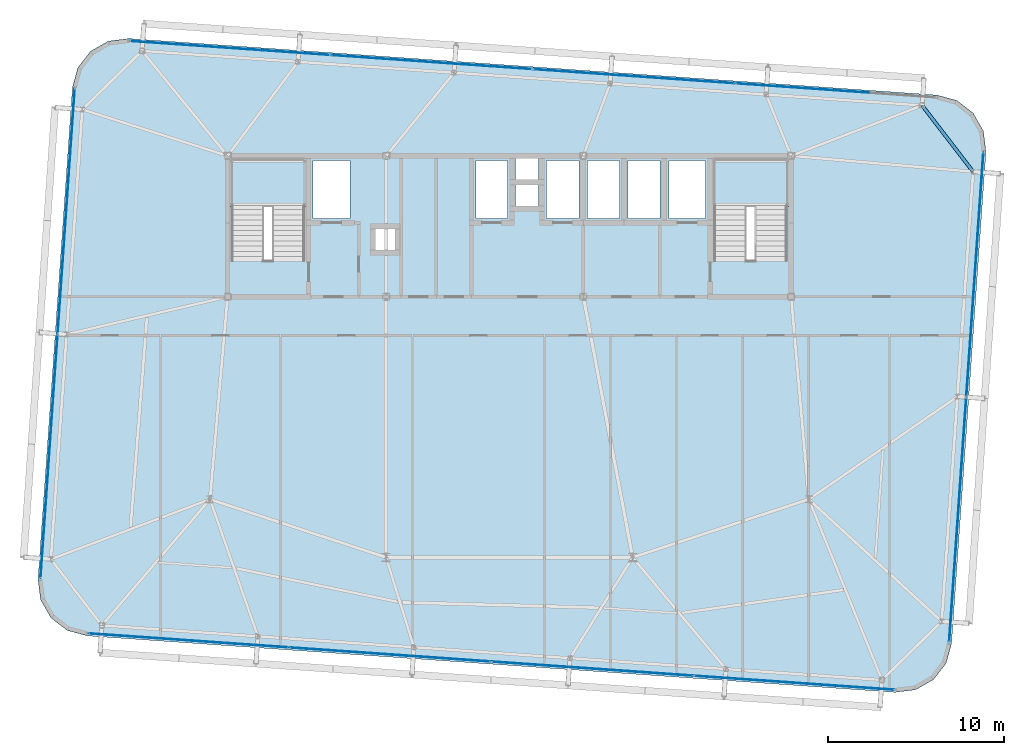
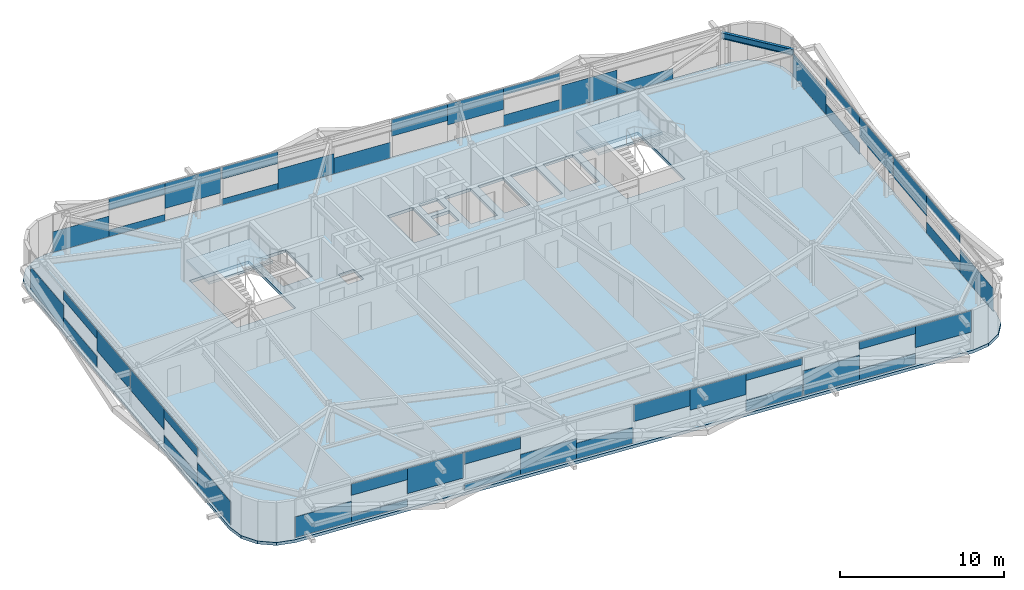
# One storey, part 25 of 39: 46 plates, 3 slabs, 1 beam, 6 elements without a shape of their own.
"""IFC4 building model written with IfcOpenShell, lengths in metres."""

from ifc_helpers import new_model, si_unit, direction, frame, origin, origin_2d, place, context, subcontext, project, spatial, polyline, rectangle, i_section, outline, extrude, source, transform, mapped, material, layer, layer_set, material_profile, profile_set, type_object, element, aggregate, save


model = new_model("IFC4")

# Units and contexts
model_context = context("Model", 3, precision=1e-05, world=origin(), true_north=direction((0.0, 1.0)))
body_context = subcontext(model_context, "Body", "Model", "MODEL_VIEW")
ifc_project = project(units=[si_unit("LENGTHUNIT", "METRE"), si_unit("AREAUNIT", "SQUARE_METRE"), si_unit("VOLUMEUNIT", "CUBIC_METRE"), si_unit("PLANEANGLEUNIT", "RADIAN"), si_unit("MASSUNIT", "GRAM", prefix="KILO")], contexts=[model_context])

# Site, building, storey
site_placement = place(None, origin())
site = spatial("IfcSite", under=ifc_project, at=site_placement, CompositionType="ELEMENT")
building_placement = place(site_placement, origin())
building = spatial("IfcBuilding", under=site, at=building_placement, Name="Taldren Reach Tower", CompositionType="ELEMENT")
storey_placement = place(building_placement, frame((0.0, 0.0, 136.14990234375)))
storey = spatial("IfcBuildingStorey", under=building, at=storey_placement, Name="L41", CompositionType="ELEMENT", Elevation=136.14990234375)

# Beam
ifc_material_1 = material(Name="Steel Gr 350 (350PLUS)", Category="steel")
ifc_material_profile = material_profile(ifc_material_1, i_section(OverallWidth=0.18994140625, OverallDepth=0.4541015625, WebThickness=0.008544921875, FlangeThickness=0.0126953125, at=origin_2d()), Name="460UB67.1")
ifc_profile_set = profile_set([ifc_material_profile], Name="Steel Gr 350 (350PLUS)")
beam_type = type_object("IfcBeamType", Name="SP-UB460B", PredefinedType="SPANDREL", material=ifc_profile_set)
shared_shape_1 = source(origin(), body_context, "Body", "SweptSolid", [
    extrude(i_section(OverallWidth=0.18994140625, OverallDepth=0.4541015625, WebThickness=0.008544921875, FlangeThickness=0.0126953125, at=origin_2d()), origin(), (0.0, 0.0, 1.0), 4.745849609375),
])
beam_placement = place(storey_placement, frame((61.3310546875, 31.1005859375, 2.703125), z_axis=(-0.609904656723, 0.792474800677, 0.0), x_axis=(-0.792474800677, -0.609904656723, 0.0)))
element("IfcBeam", 1, at=beam_placement, inside=storey, type_object=beam_type, Name="Perimeter spandrel B3 E3-N6 L41", PredefinedType="SPANDREL", context=body_context, shape_type="MappedRepresentation", body=[
    mapped(shared_shape_1, transform((0.0, 0.0, 0.0), scale=1.0)),
])

# Slab
ifc_material_2 = material(Name="Concrete N40 (40 MPa)", Category="concrete")
ifc_layer_1 = layer(ifc_material_2, 0.219970703125)
ifc_layer_set_1 = layer_set([ifc_layer_1], Name="Concrete N40 (40 MPa)")
slab_type_1 = type_object("IfcSlabType", Name="SL-FLR-220", PredefinedType="FLOOR", material=ifc_layer_set_1)
slab_1_placement = place(storey_placement, frame((0.0, 0.0, -0.219970703125)))
element("IfcSlab", 2, at=slab_1_placement, inside=storey, type_object=slab_type_1, Name="Suspended floor slab L41", PredefinedType="FLOOR", context=body_context, shape_type="SweptSolid", body=[
    extrude(outline(polyline([(56.908203125, 1.537109375), (58.0693359375, 1.684814453125), (59.08544921875, 2.265625), (59.80224609375, 3.191162109375), (60.110107421875, 4.320556640625), (62.063232421875, 32.252197265625), (61.91552734375, 33.413330078125), (61.334716796875, 34.4296875), (60.4091796875, 35.146240234375), (59.27978515625, 35.4541015625), (13.391845703125, 38.6630859375), (12.230712890625, 38.515380859375), (11.21435546875, 37.934326171875), (10.497802734375, 37.0087890625), (10.18994140625, 35.879638671875), (8.23681640625, 7.94775390625), (8.384521484375, 6.78662109375), (8.96533203125, 5.770263671875), (9.890869140625, 5.0537109375), (11.020263671875, 4.745849609375), (56.908203125, 1.537109375)]), holes=[polyline([(19.219970703125, 26.050048828125), (23.3798828125, 26.050048828125), (23.3798828125, 31.820068359375), (19.219970703125, 31.820068359375), (19.219970703125, 26.050048828125)]), polyline([(46.6201171875, 26.050048828125), (50.780029296875, 26.050048828125), (50.780029296875, 31.820068359375), (46.6201171875, 31.820068359375), (46.6201171875, 26.050048828125)]), polyline([(23.85009765625, 28.449951171875), (25.949951171875, 28.449951171875), (25.949951171875, 31.75), (23.85009765625, 31.75), (23.85009765625, 28.449951171875)]), polyline([(44.050048828125, 28.449951171875), (46.14990234375, 28.449951171875), (46.14990234375, 31.75), (44.050048828125, 31.75), (44.050048828125, 28.449951171875)]), polyline([(33.10009765625, 28.449951171875), (34.89990234375, 28.449951171875), (34.89990234375, 31.75), (33.10009765625, 31.75), (33.10009765625, 28.449951171875)]), polyline([(37.10009765625, 28.449951171875), (38.949951171875, 28.449951171875), (38.949951171875, 31.75), (37.10009765625, 31.75), (37.10009765625, 28.449951171875)]), polyline([(39.449951171875, 28.449951171875), (41.25, 28.449951171875), (41.25, 31.75), (39.449951171875, 31.75), (39.449951171875, 28.449951171875)]), polyline([(41.75, 28.449951171875), (43.550048828125, 28.449951171875), (43.550048828125, 31.75), (41.75, 31.75), (41.75, 28.449951171875)]), polyline([(35.35009765625, 30.64990234375), (36.64990234375, 30.64990234375), (36.64990234375, 31.85009765625), (35.35009765625, 31.85009765625), (35.35009765625, 30.64990234375)]), polyline([(35.35009765625, 29.14990234375), (36.64990234375, 29.14990234375), (36.64990234375, 30.35009765625), (35.35009765625, 30.35009765625), (35.35009765625, 29.14990234375)]), polyline([(27.39990234375, 26.64990234375), (28.5, 26.64990234375), (28.5, 27.85009765625), (27.39990234375, 27.85009765625), (27.39990234375, 26.64990234375)])]), origin(), (0.0, 0.0, 1.0), 0.219970703125),
])

# Stair, slab
ifc_material_3 = material(Name="Concrete S50 (50 MPa)", Category="concrete")
stair_type = type_object("IfcStairType", Name="ST-HT-315", PredefinedType="HALF_TURN_STAIR", material=ifc_material_3)
stair_1_placement = place(storey_placement, origin())
stair_1 = element("IfcStair", 3, at=stair_1_placement, inside=storey, type_object=stair_type, Name="Fire-isolated exit stair ST1 L41", PredefinedType="HALF_TURN_STAIR")
ifc_layer_2 = layer(ifc_material_3, 0.179931640625)
ifc_layer_set_2 = layer_set([ifc_layer_2], Name="Concrete S50 (50 MPa)")
slab_type_2 = type_object("IfcSlabType", Name="SL-LAND-180", PredefinedType="LANDING", material=ifc_layer_set_2)
slab_2_placement = place(storey_placement, frame((0.0, 0.0, 1.39501953125)))
slab_2 = element("IfcSlab", 4, at=slab_2_placement, type_object=slab_type_2, Name="ST1 landing 1", PredefinedType="LANDING", context=body_context, shape_type="SweptSolid", body=[
    extrude(outline(polyline([(19.0400390625, 29.135009765625), (23.56005859375, 29.135009765625), (23.56005859375, 31.8701171875), (19.0400390625, 31.8701171875), (19.0400390625, 29.135009765625)])), origin(), (0.0, 0.0, 1.0), 0.18017578125),
])
aggregate(stair_1, [slab_2])

stair_2_placement = place(storey_placement, origin())
stair_2 = element("IfcStair", 5, at=stair_2_placement, inside=storey, type_object=stair_type, Name="Fire-isolated exit stair ST2 L41", PredefinedType="HALF_TURN_STAIR")
slab_3_placement = place(storey_placement, frame((0.0, 0.0, 1.39501953125)))
slab_3 = element("IfcSlab", 6, at=slab_3_placement, type_object=slab_type_2, Name="ST2 landing 1", PredefinedType="LANDING", context=body_context, shape_type="SweptSolid", body=[
    extrude(outline(polyline([(46.43994140625, 29.135009765625), (50.9599609375, 29.135009765625), (50.9599609375, 31.8701171875), (46.43994140625, 31.8701171875), (46.43994140625, 29.135009765625)])), origin(), (0.0, 0.0, 1.0), 0.18017578125),
])
aggregate(stair_2, [slab_3])

# Curtain wall, plates
ifc_material_4 = material(Name="Aluminium and Low-E Glass Unitised System", Category="aluminium")
ifc_layer_3 = layer(ifc_material_4, 0.159912109375)
ifc_layer_set_3 = layer_set([ifc_layer_3], Name="Aluminium and Low-E Glass Unitised System")
curtain_wall_type = type_object("IfcCurtainWallType", Name="CW-SYS-4", PredefinedType="NOTDEFINED", material=ifc_layer_set_3)
curtain_wall_1_placement = place(storey_placement, origin())
curtain_wall_1 = element("IfcCurtainWall", 7, at=curtain_wall_1_placement, inside=storey, type_object=curtain_wall_type, Name="Unitised curtain wall CW-L41-S", PredefinedType="NOTDEFINED")
ifc_material_5 = material(Name="Solar-Control Double Glazed IGU", Category="glass")
ifc_layer_4 = layer(ifc_material_5, 0.031982421875)
ifc_layer_set_4 = layer_set([ifc_layer_4], Name="Solar-Control Double Glazed IGU")
plate_type = type_object("IfcPlateType", Name="CW-PNL-IGU32", PredefinedType="CURTAIN_PANEL", material=ifc_layer_set_4)
shared_shape_2 = source(origin(), body_context, "Body", "SweptSolid", [
    extrude(rectangle(XDim=3.79833984375, YDim=0.031982421875, at=origin_2d()), origin(), (0.0, 0.0, 1.0), 1.597900390625),
])
plate_1_placement = place(storey_placement, frame((54.95361328125, 1.81396484375, 1.27734375), z_axis=(0.0, 0.0, 1.0), x_axis=(0.99756404731, -0.06975651593, 0.0)))
plate_1 = element("IfcPlate", 8, at=plate_1_placement, type_object=plate_type, Name="CW-4 panel 4.1 part 4", PredefinedType="CURTAIN_PANEL", context=body_context, shape_type="MappedRepresentation", body=[
    mapped(shared_shape_2, transform((0.0, 0.0, 0.0), scale=1.0)),
])
shared_shape_3 = source(origin(), body_context, "Body", "SweptSolid", [
    extrude(rectangle(XDim=3.79833984375, YDim=0.031982421875, at=origin_2d()), origin(), (0.0, 0.0, 1.0), 0.787109375),
])
plate_2_placement = place(storey_placement, frame((51.16455078125, 2.0791015625, 0.05517578125), z_axis=(0.0, 0.0, 1.0), x_axis=(0.99756404731, -0.06975651593, 0.0)))
plate_2 = element("IfcPlate", 9, at=plate_2_placement, type_object=plate_type, Name="CW-4 panel 4.1 part 2", PredefinedType="CURTAIN_PANEL", context=body_context, shape_type="MappedRepresentation", body=[
    mapped(shared_shape_3, transform((0.0, 0.0, 0.0), scale=1.0)),
])

# Curtain wall, plate
curtain_wall_2_placement = place(storey_placement, origin())
curtain_wall_2 = element("IfcCurtainWall", 10, at=curtain_wall_2_placement, inside=storey, type_object=curtain_wall_type, Name="Unitised curtain wall CW-L41-N", PredefinedType="NOTDEFINED")
plate_3_placement = place(storey_placement, frame((53.5166015625, 35.716796875, 0.05517578125), z_axis=(0.0, 0.0, 1.0), x_axis=(-0.99756404731, 0.06975651593, 0.0)))
plate_3 = element("IfcPlate", 11, at=plate_3_placement, type_object=plate_type, Name="CW-4 panel 1.1 part 2", PredefinedType="CURTAIN_PANEL", context=body_context, shape_type="MappedRepresentation", body=[
    mapped(shared_shape_3, transform((0.0, 0.0, 0.0), scale=1.0)),
])

# Plate
shared_shape_4 = source(origin(), body_context, "Body", "SweptSolid", [
    extrude(rectangle(XDim=3.79833984375, YDim=0.031982421875, at=origin_2d()), origin(), (0.0, 0.0, 1.0), 0.558349609375),
])
plate_4_placement = place(storey_placement, frame((51.16455078125, 2.0791015625, 2.31689453125), z_axis=(0.0, 0.0, 1.0), x_axis=(0.99756404731, -0.06975651593, 0.0)))
plate_4 = element("IfcPlate", 12, at=plate_4_placement, type_object=plate_type, Name="CW-4 panel 4.1 part 3", PredefinedType="CURTAIN_PANEL", context=body_context, shape_type="MappedRepresentation", body=[
    mapped(shared_shape_4, transform((0.0, 0.0, 0.0), scale=1.0)),
])

shared_shape_5 = source(origin(), body_context, "Body", "SweptSolid", [
    extrude(rectangle(XDim=3.79833984375, YDim=0.031982421875, at=origin_2d()), origin(), (0.0, 0.0, 1.0), 1.826416015625),
])
plate_5_placement = place(storey_placement, frame((47.375244140625, 2.343994140625, 0.05517578125), z_axis=(0.0, 0.0, 1.0), x_axis=(0.99756404731, -0.06975651593, 0.0)))
plate_5 = element("IfcPlate", 13, at=plate_5_placement, type_object=plate_type, Name="CW-4 panel 4.1 part 1", PredefinedType="CURTAIN_PANEL", context=body_context, shape_type="MappedRepresentation", body=[
    mapped(shared_shape_5, transform((0.0, 0.0, 0.0), scale=1.0)),
])

plate_6_placement = place(storey_placement, frame((49.7275390625, 35.981689453125, 0.05517578125), z_axis=(0.0, 0.0, 1.0), x_axis=(-0.99756404731, 0.06975651593, 0.0)))
plate_6 = element("IfcPlate", 14, at=plate_6_placement, type_object=plate_type, Name="CW-4 panel 1.1 part 4", PredefinedType="CURTAIN_PANEL", context=body_context, shape_type="MappedRepresentation", body=[
    mapped(shared_shape_5, transform((0.0, 0.0, 0.0), scale=1.0)),
])

shared_shape_6 = source(origin(), body_context, "Body", "SweptSolid", [
    extrude(rectangle(XDim=3.81005859375, YDim=0.031982421875, at=origin_2d()), origin(), (0.0, 0.0, 1.0), 0.8271484375),
])
plate_7_placement = place(storey_placement, frame((43.510498046875, 2.6142578125, 0.05517578125), z_axis=(0.0, 0.0, 1.0), x_axis=(0.99756404731, -0.06975651593, 0.0)))
plate_7 = element("IfcPlate", 15, at=plate_7_placement, type_object=plate_type, Name="CW-4 panel 3.1 part 3", PredefinedType="CURTAIN_PANEL", context=body_context, shape_type="MappedRepresentation", body=[
    mapped(shared_shape_6, transform((0.0, 0.0, 0.0), scale=1.0)),
])

plate_8_placement = place(storey_placement, frame((45.86279296875, 36.251953125, 0.05517578125), z_axis=(0.0, 0.0, 1.0), x_axis=(-0.99756404731, 0.06975651593, 0.0)))
plate_8 = element("IfcPlate", 16, at=plate_8_placement, type_object=plate_type, Name="CW-4 panel 2.1 part 1", PredefinedType="CURTAIN_PANEL", context=body_context, shape_type="MappedRepresentation", body=[
    mapped(shared_shape_6, transform((0.0, 0.0, 0.0), scale=1.0)),
])

shared_shape_7 = source(origin(), body_context, "Body", "SweptSolid", [
    extrude(rectangle(XDim=3.81005859375, YDim=0.031982421875, at=origin_2d()), origin(), (0.0, 0.0, 1.0), 0.51513671875),
])
plate_9_placement = place(storey_placement, frame((43.510498046875, 2.6142578125, 2.360107421875), z_axis=(0.0, 0.0, 1.0), x_axis=(0.99756404731, -0.06975651593, 0.0)))
plate_9 = element("IfcPlate", 17, at=plate_9_placement, type_object=plate_type, Name="CW-4 panel 3.1 part 4", PredefinedType="CURTAIN_PANEL", context=body_context, shape_type="MappedRepresentation", body=[
    mapped(shared_shape_7, transform((0.0, 0.0, 0.0), scale=1.0)),
])

plate_10_placement = place(storey_placement, frame((45.86279296875, 36.251953125, 2.360107421875), z_axis=(0.0, 0.0, 1.0), x_axis=(-0.99756404731, 0.06975651593, 0.0)))
plate_10 = element("IfcPlate", 18, at=plate_10_placement, type_object=plate_type, Name="CW-4 panel 2.1 part 2", PredefinedType="CURTAIN_PANEL", context=body_context, shape_type="MappedRepresentation", body=[
    mapped(shared_shape_7, transform((0.0, 0.0, 0.0), scale=1.0)),
])

shared_shape_8 = source(origin(), body_context, "Body", "SweptSolid", [
    extrude(rectangle(XDim=3.81005859375, YDim=0.031982421875, at=origin_2d()), origin(), (0.0, 0.0, 1.0), 1.5576171875),
])
plate_11_placement = place(storey_placement, frame((39.7099609375, 2.8798828125, 1.3173828125), z_axis=(0.0, 0.0, 1.0), x_axis=(0.99756404731, -0.06975651593, 0.0)))
plate_11 = element("IfcPlate", 19, at=plate_11_placement, type_object=plate_type, Name="CW-4 panel 3.1 part 2", PredefinedType="CURTAIN_PANEL", context=body_context, shape_type="MappedRepresentation", body=[
    mapped(shared_shape_8, transform((0.0, 0.0, 0.0), scale=1.0)),
])

plate_12_placement = place(storey_placement, frame((42.06201171875, 36.517822265625, 1.3173828125), z_axis=(0.0, 0.0, 1.0), x_axis=(-0.99756404731, 0.06975651593, 0.0)))
plate_12 = element("IfcPlate", 20, at=plate_12_placement, type_object=plate_type, Name="CW-4 panel 2.1 part 3", PredefinedType="CURTAIN_PANEL", context=body_context, shape_type="MappedRepresentation", body=[
    mapped(shared_shape_8, transform((0.0, 0.0, 0.0), scale=1.0)),
])

shared_shape_9 = source(origin(), body_context, "Body", "SweptSolid", [
    extrude(rectangle(XDim=3.81005859375, YDim=0.031982421875, at=origin_2d()), origin(), (0.0, 0.0, 1.0), 1.23193359375),
])
plate_13_placement = place(storey_placement, frame((35.9091796875, 3.145751953125, 1.64306640625), z_axis=(0.0, 0.0, 1.0), x_axis=(0.99756404731, -0.06975651593, 0.0)))
plate_13 = element("IfcPlate", 21, at=plate_13_placement, type_object=plate_type, Name="CW-4 panel 3.1 part 1", PredefinedType="CURTAIN_PANEL", context=body_context, shape_type="MappedRepresentation", body=[
    mapped(shared_shape_9, transform((0.0, 0.0, 0.0), scale=1.0)),
])

plate_14_placement = place(storey_placement, frame((38.261474609375, 36.78369140625, 1.64306640625), z_axis=(0.0, 0.0, 1.0), x_axis=(-0.99756404731, 0.06975651593, 0.0)))
plate_14 = element("IfcPlate", 22, at=plate_14_placement, type_object=plate_type, Name="CW-4 panel 2.1 part 4", PredefinedType="CURTAIN_PANEL", context=body_context, shape_type="MappedRepresentation", body=[
    mapped(shared_shape_9, transform((0.0, 0.0, 0.0), scale=1.0)),
])

shared_shape_10 = source(origin(), body_context, "Body", "SweptSolid", [
    extrude(rectangle(XDim=3.81005859375, YDim=0.031982421875, at=origin_2d()), origin(), (0.0, 0.0, 1.0), 1.172119140625),
])
plate_15_placement = place(storey_placement, frame((32.03857421875, 3.41650390625, 0.05517578125), z_axis=(0.0, 0.0, 1.0), x_axis=(0.99756404731, -0.06975651593, 0.0)))
plate_15 = element("IfcPlate", 23, at=plate_15_placement, type_object=plate_type, Name="CW-4 panel 2.1 part 4", PredefinedType="CURTAIN_PANEL", context=body_context, shape_type="MappedRepresentation", body=[
    mapped(shared_shape_10, transform((0.0, 0.0, 0.0), scale=1.0)),
])

plate_16_placement = place(storey_placement, frame((34.390869140625, 37.05419921875, 0.05517578125), z_axis=(0.0, 0.0, 1.0), x_axis=(-0.99756404731, 0.06975651593, 0.0)))
plate_16 = element("IfcPlate", 24, at=plate_16_placement, type_object=plate_type, Name="CW-4 panel 3.1 part 1", PredefinedType="CURTAIN_PANEL", context=body_context, shape_type="MappedRepresentation", body=[
    mapped(shared_shape_10, transform((0.0, 0.0, 0.0), scale=1.0)),
])

shared_shape_11 = source(origin(), body_context, "Body", "SweptSolid", [
    extrude(rectangle(XDim=3.81005859375, YDim=0.031982421875, at=origin_2d()), origin(), (0.0, 0.0, 1.0), 1.497802734375),
])
plate_17_placement = place(storey_placement, frame((28.23779296875, 3.68212890625, 0.05517578125), z_axis=(0.0, 0.0, 1.0), x_axis=(0.99756404731, -0.06975651593, 0.0)))
plate_17 = element("IfcPlate", 25, at=plate_17_placement, type_object=plate_type, Name="CW-4 panel 2.1 part 3", PredefinedType="CURTAIN_PANEL", context=body_context, shape_type="MappedRepresentation", body=[
    mapped(shared_shape_11, transform((0.0, 0.0, 0.0), scale=1.0)),
])

plate_18_placement = place(storey_placement, frame((30.590087890625, 37.320068359375, 0.05517578125), z_axis=(0.0, 0.0, 1.0), x_axis=(-0.99756404731, 0.06975651593, 0.0)))
plate_18 = element("IfcPlate", 26, at=plate_18_placement, type_object=plate_type, Name="CW-4 panel 3.1 part 2", PredefinedType="CURTAIN_PANEL", context=body_context, shape_type="MappedRepresentation", body=[
    mapped(shared_shape_11, transform((0.0, 0.0, 0.0), scale=1.0)),
])

shared_shape_12 = source(origin(), body_context, "Body", "SweptSolid", [
    extrude(rectangle(XDim=3.81005859375, YDim=0.031982421875, at=origin_2d()), origin(), (0.0, 0.0, 1.0), 0.455078125),
])
plate_19_placement = place(storey_placement, frame((24.437255859375, 3.947998046875, 0.05517578125), z_axis=(0.0, 0.0, 1.0), x_axis=(0.99756404731, -0.06975651593, 0.0)))
plate_19 = element("IfcPlate", 27, at=plate_19_placement, type_object=plate_type, Name="CW-4 panel 2.1 part 1", PredefinedType="CURTAIN_PANEL", context=body_context, shape_type="MappedRepresentation", body=[
    mapped(shared_shape_12, transform((0.0, 0.0, 0.0), scale=1.0)),
])

plate_20_placement = place(storey_placement, frame((26.789306640625, 37.585693359375, 0.05517578125), z_axis=(0.0, 0.0, 1.0), x_axis=(-0.99756404731, 0.06975651593, 0.0)))
plate_20 = element("IfcPlate", 28, at=plate_20_placement, type_object=plate_type, Name="CW-4 panel 3.1 part 3", PredefinedType="CURTAIN_PANEL", context=body_context, shape_type="MappedRepresentation", body=[
    mapped(shared_shape_12, transform((0.0, 0.0, 0.0), scale=1.0)),
])

shared_shape_13 = source(origin(), body_context, "Body", "SweptSolid", [
    extrude(rectangle(XDim=3.81005859375, YDim=0.031982421875, at=origin_2d()), origin(), (0.0, 0.0, 1.0), 0.88720703125),
])
plate_21_placement = place(storey_placement, frame((24.437255859375, 3.947998046875, 1.98779296875), z_axis=(0.0, 0.0, 1.0), x_axis=(0.99756404731, -0.06975651593, 0.0)))
plate_21 = element("IfcPlate", 29, at=plate_21_placement, type_object=plate_type, Name="CW-4 panel 2.1 part 2", PredefinedType="CURTAIN_PANEL", context=body_context, shape_type="MappedRepresentation", body=[
    mapped(shared_shape_13, transform((0.0, 0.0, 0.0), scale=1.0)),
])

plate_22_placement = place(storey_placement, frame((26.789306640625, 37.585693359375, 1.98779296875), z_axis=(0.0, 0.0, 1.0), x_axis=(-0.99756404731, 0.06975651593, 0.0)))
plate_22 = element("IfcPlate", 30, at=plate_22_placement, type_object=plate_type, Name="CW-4 panel 3.1 part 4", PredefinedType="CURTAIN_PANEL", context=body_context, shape_type="MappedRepresentation", body=[
    mapped(shared_shape_13, transform((0.0, 0.0, 0.0), scale=1.0)),
])

shared_shape_14 = source(origin(), body_context, "Body", "SweptSolid", [
    extrude(rectangle(XDim=3.79833984375, YDim=0.031982421875, at=origin_2d()), origin(), (0.0, 0.0, 1.0), 1.886474609375),
])
plate_23_placement = place(storey_placement, frame((20.572509765625, 4.21826171875, 0.98876953125), z_axis=(0.0, 0.0, 1.0), x_axis=(0.99756404731, -0.06975651593, 0.0)))
plate_23 = element("IfcPlate", 31, at=plate_23_placement, type_object=plate_type, Name="CW-4 panel 1.1 part 4", PredefinedType="CURTAIN_PANEL", context=body_context, shape_type="MappedRepresentation", body=[
    mapped(shared_shape_14, transform((0.0, 0.0, 0.0), scale=1.0)),
])

plate_24_placement = place(storey_placement, frame((22.924560546875, 37.85595703125, 0.98876953125), z_axis=(0.0, 0.0, 1.0), x_axis=(-0.99756404731, 0.06975651593, 0.0)))
plate_24 = element("IfcPlate", 32, at=plate_24_placement, type_object=plate_type, Name="CW-4 panel 4.1 part 1", PredefinedType="CURTAIN_PANEL", context=body_context, shape_type="MappedRepresentation", body=[
    mapped(shared_shape_14, transform((0.0, 0.0, 0.0), scale=1.0)),
])

shared_shape_15 = source(origin(), body_context, "Body", "SweptSolid", [
    extrude(rectangle(XDim=3.79833984375, YDim=0.031982421875, at=origin_2d()), origin(), (0.0, 0.0, 1.0), 0.498291015625),
])
plate_25_placement = place(storey_placement, frame((16.783447265625, 4.483154296875, 0.05517578125), z_axis=(0.0, 0.0, 1.0), x_axis=(0.99756404731, -0.06975651593, 0.0)))
plate_25 = element("IfcPlate", 33, at=plate_25_placement, type_object=plate_type, Name="CW-4 panel 1.1 part 2", PredefinedType="CURTAIN_PANEL", context=body_context, shape_type="MappedRepresentation", body=[
    mapped(shared_shape_15, transform((0.0, 0.0, 0.0), scale=1.0)),
])

plate_26_placement = place(storey_placement, frame((19.135498046875, 38.12109375, 0.05517578125), z_axis=(0.0, 0.0, 1.0), x_axis=(-0.99756404731, 0.06975651593, 0.0)))
plate_26 = element("IfcPlate", 34, at=plate_26_placement, type_object=plate_type, Name="CW-4 panel 4.1 part 2", PredefinedType="CURTAIN_PANEL", context=body_context, shape_type="MappedRepresentation", body=[
    mapped(shared_shape_15, transform((0.0, 0.0, 0.0), scale=1.0)),
])

shared_shape_16 = source(origin(), body_context, "Body", "SweptSolid", [
    extrude(rectangle(XDim=3.79833984375, YDim=0.031982421875, at=origin_2d()), origin(), (0.0, 0.0, 1.0), 0.84716796875),
])
plate_27_placement = place(storey_placement, frame((16.783447265625, 4.483154296875, 2.028076171875), z_axis=(0.0, 0.0, 1.0), x_axis=(0.99756404731, -0.06975651593, 0.0)))
plate_27 = element("IfcPlate", 35, at=plate_27_placement, type_object=plate_type, Name="CW-4 panel 1.1 part 3", PredefinedType="CURTAIN_PANEL", context=body_context, shape_type="MappedRepresentation", body=[
    mapped(shared_shape_16, transform((0.0, 0.0, 0.0), scale=1.0)),
])

plate_28_placement = place(storey_placement, frame((19.135498046875, 38.12109375, 2.028076171875), z_axis=(0.0, 0.0, 1.0), x_axis=(-0.99756404731, 0.06975651593, 0.0)))
plate_28 = element("IfcPlate", 36, at=plate_28_placement, type_object=plate_type, Name="CW-4 panel 4.1 part 3", PredefinedType="CURTAIN_PANEL", context=body_context, shape_type="MappedRepresentation", body=[
    mapped(shared_shape_16, transform((0.0, 0.0, 0.0), scale=1.0)),
])

shared_shape_17 = source(origin(), body_context, "Body", "SweptSolid", [
    extrude(rectangle(XDim=3.79833984375, YDim=0.031982421875, at=origin_2d()), origin(), (0.0, 0.0, 1.0), 1.537841796875),
])
plate_29_placement = place(storey_placement, frame((12.994384765625, 4.748046875, 0.05517578125), z_axis=(0.0, 0.0, 1.0), x_axis=(0.99756404731, -0.06975651593, 0.0)))
plate_29 = element("IfcPlate", 37, at=plate_29_placement, type_object=plate_type, Name="CW-4 panel 1.1 part 1", PredefinedType="CURTAIN_PANEL", context=body_context, shape_type="MappedRepresentation", body=[
    mapped(shared_shape_17, transform((0.0, 0.0, 0.0), scale=1.0)),
])

aggregate(curtain_wall_1, [plate_29, plate_25, plate_27, plate_23, plate_19, plate_21, plate_17, plate_15, plate_13, plate_11, plate_7, plate_9, plate_5, plate_2, plate_4, plate_1])

plate_30_placement = place(storey_placement, frame((15.346435546875, 38.385986328125, 0.05517578125), z_axis=(0.0, 0.0, 1.0), x_axis=(-0.99756404731, 0.06975651593, 0.0)))
plate_30 = element("IfcPlate", 38, at=plate_30_placement, type_object=plate_type, Name="CW-4 panel 4.1 part 4", PredefinedType="CURTAIN_PANEL", context=body_context, shape_type="MappedRepresentation", body=[
    mapped(shared_shape_17, transform((0.0, 0.0, 0.0), scale=1.0)),
])

aggregate(curtain_wall_2, [plate_3, plate_6, plate_8, plate_10, plate_12, plate_14, plate_16, plate_18, plate_20, plate_22, plate_24, plate_26, plate_28, plate_30])

# Curtain wall, plates
curtain_wall_3_placement = place(storey_placement, origin())
curtain_wall_3 = element("IfcCurtainWall", 39, at=curtain_wall_3_placement, inside=storey, type_object=curtain_wall_type, Name="Unitised curtain wall CW-L41-W", PredefinedType="NOTDEFINED")
shared_shape_18 = source(origin(), body_context, "Body", "SweptSolid", [
    extrude(rectangle(XDim=4.631591796875, YDim=0.031982421875, at=origin_2d()), origin(), (0.0, 0.0, 1.0), 1.716552734375),
])
plate_31_placement = place(storey_placement, frame((10.1630859375, 33.48974609375, 0.05517578125), z_axis=(0.0, 0.0, 1.0), x_axis=(-0.069756437251, -0.997564052812, 0.0)))
plate_31 = element("IfcPlate", 40, at=plate_31_placement, type_object=plate_type, Name="CW-4 panel 1.1 part 1", PredefinedType="CURTAIN_PANEL", context=body_context, shape_type="MappedRepresentation", body=[
    mapped(shared_shape_18, transform((0.0, 0.0, 0.0), scale=1.0)),
])
plate_32_placement = place(storey_placement, frame((8.542724609375, 10.318115234375, 0.05517578125), z_axis=(0.0, 0.0, 1.0), x_axis=(-0.069756437251, -0.997564052812, 0.0)))
plate_32 = element("IfcPlate", 41, at=plate_32_placement, type_object=plate_type, Name="CW-4 panel 2.1 part 4", PredefinedType="CURTAIN_PANEL", context=body_context, shape_type="MappedRepresentation", body=[
    mapped(shared_shape_18, transform((0.0, 0.0, 0.0), scale=1.0)),
])

curtain_wall_4_placement = place(storey_placement, origin())
curtain_wall_4 = element("IfcCurtainWall", 42, at=curtain_wall_4_placement, inside=storey, type_object=curtain_wall_type, Name="Unitised curtain wall CW-L41-E", PredefinedType="NOTDEFINED")
plate_33_placement = place(storey_placement, frame((60.136962890625, 6.710205078125, 0.05517578125), z_axis=(0.0, 0.0, 1.0), x_axis=(0.069756437251, 0.997564052812, 0.0)))
plate_33 = element("IfcPlate", 43, at=plate_33_placement, type_object=plate_type, Name="CW-4 panel 1.1 part 1", PredefinedType="CURTAIN_PANEL", context=body_context, shape_type="MappedRepresentation", body=[
    mapped(shared_shape_18, transform((0.0, 0.0, 0.0), scale=1.0)),
])
plate_34_placement = place(storey_placement, frame((61.757080078125, 29.882080078125, 0.05517578125), z_axis=(0.0, 0.0, 1.0), x_axis=(0.069756437251, 0.997564052812, 0.0)))
plate_34 = element("IfcPlate", 44, at=plate_34_placement, type_object=plate_type, Name="CW-4 panel 2.1 part 4", PredefinedType="CURTAIN_PANEL", context=body_context, shape_type="MappedRepresentation", body=[
    mapped(shared_shape_18, transform((0.0, 0.0, 0.0), scale=1.0)),
])

# Plate
shared_shape_19 = source(origin(), body_context, "Body", "SweptSolid", [
    extrude(rectangle(XDim=4.631591796875, YDim=0.031982421875, at=origin_2d()), origin(), (0.0, 0.0, 1.0), 0.837158203125),
])
plate_35_placement = place(storey_placement, frame((9.840087890625, 28.869384765625, 0.05517578125), z_axis=(0.0, 0.0, 1.0), x_axis=(-0.069756437251, -0.997564052812, 0.0)))
plate_35 = element("IfcPlate", 45, at=plate_35_placement, type_object=plate_type, Name="CW-4 panel 1.1 part 2", PredefinedType="CURTAIN_PANEL", context=body_context, shape_type="MappedRepresentation", body=[
    mapped(shared_shape_19, transform((0.0, 0.0, 0.0), scale=1.0)),
])

plate_36_placement = place(storey_placement, frame((8.865966796875, 14.9384765625, 0.05517578125), z_axis=(0.0, 0.0, 1.0), x_axis=(-0.069756437251, -0.997564052812, 0.0)))
plate_36 = element("IfcPlate", 46, at=plate_36_placement, type_object=plate_type, Name="CW-4 panel 2.1 part 2", PredefinedType="CURTAIN_PANEL", context=body_context, shape_type="MappedRepresentation", body=[
    mapped(shared_shape_19, transform((0.0, 0.0, 0.0), scale=1.0)),
])

plate_37_placement = place(storey_placement, frame((60.4599609375, 11.33056640625, 0.05517578125), z_axis=(0.0, 0.0, 1.0), x_axis=(0.069756437251, 0.997564052812, 0.0)))
plate_37 = element("IfcPlate", 47, at=plate_37_placement, type_object=plate_type, Name="CW-4 panel 1.1 part 2", PredefinedType="CURTAIN_PANEL", context=body_context, shape_type="MappedRepresentation", body=[
    mapped(shared_shape_19, transform((0.0, 0.0, 0.0), scale=1.0)),
])

plate_38_placement = place(storey_placement, frame((61.43408203125, 25.261474609375, 0.05517578125), z_axis=(0.0, 0.0, 1.0), x_axis=(0.069756437251, 0.997564052812, 0.0)))
plate_38 = element("IfcPlate", 48, at=plate_38_placement, type_object=plate_type, Name="CW-4 panel 2.1 part 2", PredefinedType="CURTAIN_PANEL", context=body_context, shape_type="MappedRepresentation", body=[
    mapped(shared_shape_19, transform((0.0, 0.0, 0.0), scale=1.0)),
])

shared_shape_20 = source(origin(), body_context, "Body", "SweptSolid", [
    extrude(rectangle(XDim=4.631591796875, YDim=0.031982421875, at=origin_2d()), origin(), (0.0, 0.0, 1.0), 0.676025390625),
])
plate_39_placement = place(storey_placement, frame((9.840087890625, 28.869384765625, 2.19921875), z_axis=(0.0, 0.0, 1.0), x_axis=(-0.069756437251, -0.997564052812, 0.0)))
plate_39 = element("IfcPlate", 49, at=plate_39_placement, type_object=plate_type, Name="CW-4 panel 1.1 part 3", PredefinedType="CURTAIN_PANEL", context=body_context, shape_type="MappedRepresentation", body=[
    mapped(shared_shape_20, transform((0.0, 0.0, 0.0), scale=1.0)),
])

plate_40_placement = place(storey_placement, frame((8.865966796875, 14.9384765625, 2.19921875), z_axis=(0.0, 0.0, 1.0), x_axis=(-0.069756437251, -0.997564052812, 0.0)))
plate_40 = element("IfcPlate", 50, at=plate_40_placement, type_object=plate_type, Name="CW-4 panel 2.1 part 3", PredefinedType="CURTAIN_PANEL", context=body_context, shape_type="MappedRepresentation", body=[
    mapped(shared_shape_20, transform((0.0, 0.0, 0.0), scale=1.0)),
])

plate_41_placement = place(storey_placement, frame((60.4599609375, 11.33056640625, 2.19921875), z_axis=(0.0, 0.0, 1.0), x_axis=(0.069756437251, 0.997564052812, 0.0)))
plate_41 = element("IfcPlate", 51, at=plate_41_placement, type_object=plate_type, Name="CW-4 panel 1.1 part 3", PredefinedType="CURTAIN_PANEL", context=body_context, shape_type="MappedRepresentation", body=[
    mapped(shared_shape_20, transform((0.0, 0.0, 0.0), scale=1.0)),
])

plate_42_placement = place(storey_placement, frame((61.43408203125, 25.261474609375, 2.19921875), z_axis=(0.0, 0.0, 1.0), x_axis=(0.069756437251, 0.997564052812, 0.0)))
plate_42 = element("IfcPlate", 52, at=plate_42_placement, type_object=plate_type, Name="CW-4 panel 2.1 part 3", PredefinedType="CURTAIN_PANEL", context=body_context, shape_type="MappedRepresentation", body=[
    mapped(shared_shape_20, transform((0.0, 0.0, 0.0), scale=1.0)),
])

shared_shape_21 = source(origin(), body_context, "Body", "SweptSolid", [
    extrude(rectangle(XDim=4.631591796875, YDim=0.031982421875, at=origin_2d()), origin(), (0.0, 0.0, 1.0), 1.555419921875),
])
plate_43_placement = place(storey_placement, frame((9.51708984375, 24.2490234375, 1.31982421875), z_axis=(0.0, 0.0, 1.0), x_axis=(-0.069756437251, -0.997564052812, 0.0)))
plate_43 = element("IfcPlate", 53, at=plate_43_placement, type_object=plate_type, Name="CW-4 panel 1.1 part 4", PredefinedType="CURTAIN_PANEL", context=body_context, shape_type="MappedRepresentation", body=[
    mapped(shared_shape_21, transform((0.0, 0.0, 0.0), scale=1.0)),
])

plate_44_placement = place(storey_placement, frame((9.18896484375, 19.558837890625, 1.31982421875), z_axis=(0.0, 0.0, 1.0), x_axis=(-0.069756437251, -0.997564052812, 0.0)))
plate_44 = element("IfcPlate", 54, at=plate_44_placement, type_object=plate_type, Name="CW-4 panel 2.1 part 1", PredefinedType="CURTAIN_PANEL", context=body_context, shape_type="MappedRepresentation", body=[
    mapped(shared_shape_21, transform((0.0, 0.0, 0.0), scale=1.0)),
])

aggregate(curtain_wall_3, [plate_31, plate_35, plate_39, plate_43, plate_44, plate_36, plate_40, plate_32])

plate_45_placement = place(storey_placement, frame((60.782958984375, 15.950927734375, 1.31982421875), z_axis=(0.0, 0.0, 1.0), x_axis=(0.069756437251, 0.997564052812, 0.0)))
plate_45 = element("IfcPlate", 55, at=plate_45_placement, type_object=plate_type, Name="CW-4 panel 1.1 part 4", PredefinedType="CURTAIN_PANEL", context=body_context, shape_type="MappedRepresentation", body=[
    mapped(shared_shape_21, transform((0.0, 0.0, 0.0), scale=1.0)),
])

plate_46_placement = place(storey_placement, frame((61.111083984375, 20.64111328125, 1.31982421875), z_axis=(0.0, 0.0, 1.0), x_axis=(0.069756437251, 0.997564052812, 0.0)))
plate_46 = element("IfcPlate", 56, at=plate_46_placement, type_object=plate_type, Name="CW-4 panel 2.1 part 1", PredefinedType="CURTAIN_PANEL", context=body_context, shape_type="MappedRepresentation", body=[
    mapped(shared_shape_21, transform((0.0, 0.0, 0.0), scale=1.0)),
])

aggregate(curtain_wall_4, [plate_33, plate_37, plate_41, plate_45, plate_46, plate_38, plate_42, plate_34])

save(model, "model.ifc")
